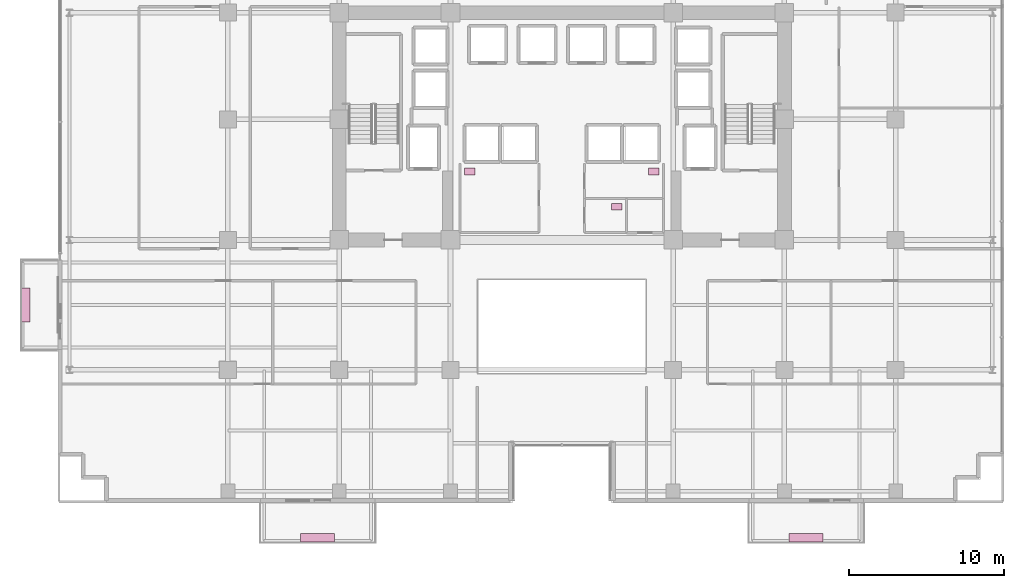
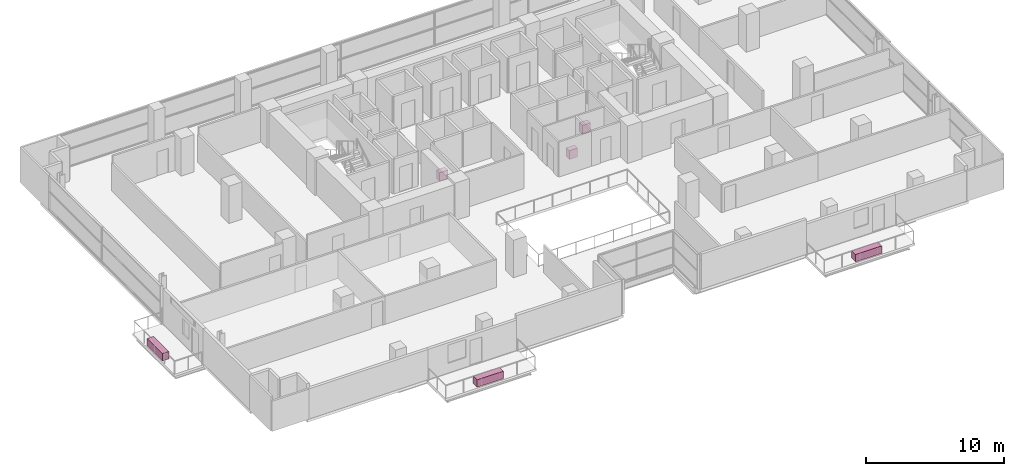
# One storey, part 30 of 30: 6 furnishings.
"""IFC4 building model written with IfcOpenShell, lengths in metres."""

from ifc_helpers import new_model, si_unit, direction, frame, origin, origin_2d, place, context, subcontext, project, spatial, rectangle, extrude, source, transform, mapped, material, type_object, element, save


model = new_model("IFC4")

# Units and contexts
model_context = context("Model", 3, precision=1e-05, world=origin(), true_north=direction((0.0, 1.0)))
body_context = subcontext(model_context, "Body", "Model", "MODEL_VIEW")
ifc_project = project(units=[si_unit("LENGTHUNIT", "METRE"), si_unit("AREAUNIT", "SQUARE_METRE"), si_unit("VOLUMEUNIT", "CUBIC_METRE"), si_unit("PLANEANGLEUNIT", "RADIAN"), si_unit("MASSUNIT", "GRAM", prefix="KILO")], contexts=[model_context])

# Site, building, storey
site_placement = place(None, origin())
site = spatial("IfcSite", under=ifc_project, at=site_placement, CompositionType="ELEMENT")
building_placement = place(site_placement, origin())
building = spatial("IfcBuilding", under=site, at=building_placement, Name="Zarnakvel Exchange Tower", CompositionType="ELEMENT")
storey_placement = place(building_placement, frame((0.0, 0.0, 34.0)))
storey = spatial("IfcBuildingStorey", under=building, at=storey_placement, Name="L08", CompositionType="ELEMENT", Elevation=34.0)

# Furnishings
ifc_material_1 = material(Name="Architectural Bronze Anodised Aluminium", Category="aluminium")
furnishing_element_type_1 = type_object("IfcFurnishingElementType", Name="PLNT-01", material=ifc_material_1)
shared_shape_1 = source(origin(), body_context, "Body", "SweptSolid", [
    extrude(rectangle(XDim=2.199951171875, YDim=0.550048828125, at=origin_2d()), origin(), (0.0, 0.0, 1.0), 0.64990234375),
])
for number, where, z_axis, x_axis, name in (
    (1, (-15.800048828125, -20.469970703125, -0.034912109375), (0.0, 0.0, 1.0), (1.0, 0.0, 0.0), "L08 Balcony Greenery Planter BAL-L08-SW"),
    (2, (15.800048828125, -20.469970703125, -0.034912109375), (0.0, 0.0, 1.0), (1.0, 0.0, 0.0), "L08 Balcony Greenery Planter BAL-L08-SE"),
    (3, (-34.669921875, -5.39990234375, -0.034912109375), (0.0, 0.0, 1.0), (0.0, 1.0, 0.0), "L08 Balcony Greenery Planter BAL-L08-W"),
):
    element("IfcFurnishingElement", number, at=place(storey_placement, frame(where, z_axis=z_axis, x_axis=x_axis)), inside=storey, type_object=furnishing_element_type_1, Name=name, ObjectType="PLANTER", context=body_context, shape_type="MappedRepresentation", body=[
        mapped(shared_shape_1, transform((0.0, 0.0, 0.0), x_axis=(1.0, 0.0, 0.0), y_axis=(0.0, 1.0, 0.0), z_axis=(0.0, 0.0, 1.0), scale=1.0)),
    ])
ifc_material_2 = material(Name="Vitreous China Sanitaryware", Category="ceramic")
furnishing_element_type_2 = type_object("IfcFurnishingElementType", Name="SAN-WC", material=ifc_material_2)
shared_shape_2 = source(origin(), body_context, "Body", "SweptSolid", [
    extrude(rectangle(XDim=0.699951171875, YDim=0.449951171875, at=origin_2d()), origin(), (0.0, 0.0, 1.0), 0.780029296875),
])
for number, where, z_axis, x_axis, name in (
    (4, (-5.949951171875, 3.22998046875, 0.0), (0.0, 0.0, 1.0), (1.0, 0.0, 0.0), "L08 Sanitary Fixture (Male Toilet)"),
    (5, (5.949951171875, 3.22998046875, 0.0), (0.0, 0.0, 1.0), (1.0, 0.0, 0.0), "L08 Sanitary Fixture (Female Toilet)"),
    (6, (3.550048828125, 0.949951171875, 0.0), (0.0, 0.0, 1.0), (1.0, 0.0, 0.0), "L08 Sanitary Fixture (Accessible Toilet)"),
):
    element("IfcFurnishingElement", number, at=place(storey_placement, frame(where, z_axis=z_axis, x_axis=x_axis)), inside=storey, type_object=furnishing_element_type_2, Name=name, ObjectType="SANITARY_FIXTURE", context=body_context, shape_type="MappedRepresentation", body=[
        mapped(shared_shape_2, transform((0.0, 0.0, 0.0), x_axis=(1.0, 0.0, 0.0), y_axis=(0.0, 1.0, 0.0), z_axis=(0.0, 0.0, 1.0), scale=1.0)),
    ])

save(model, "model.ifc")
